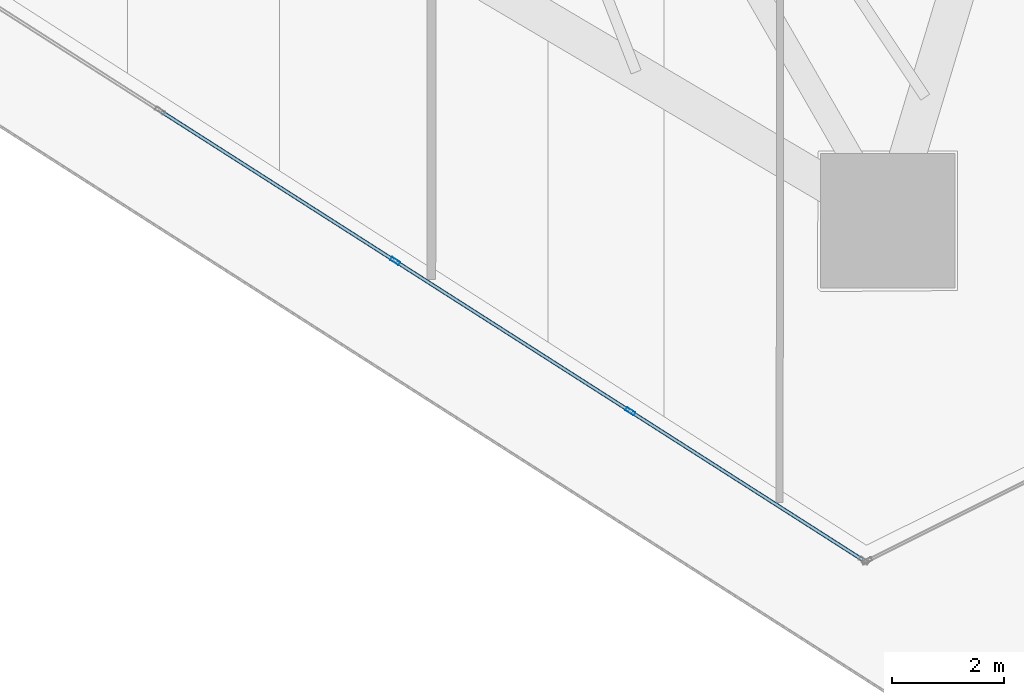
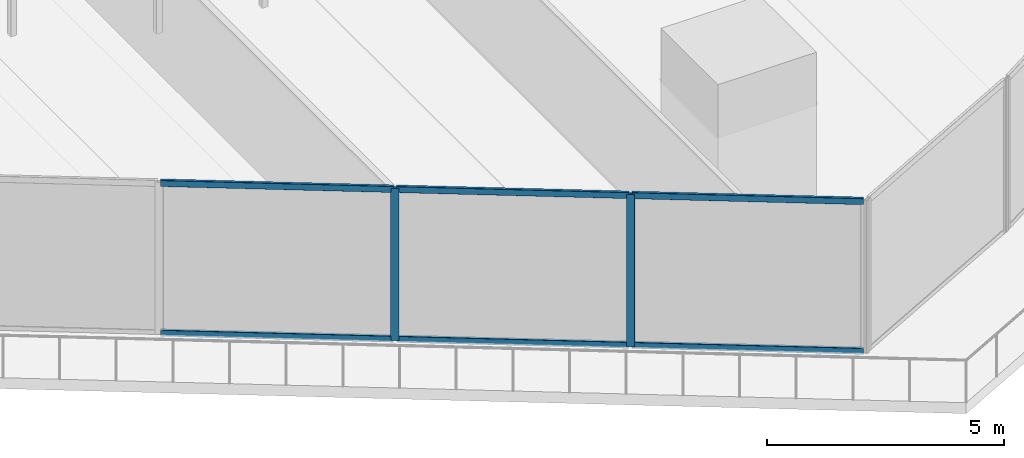
# One storey, part 7 of 44: 8 members, 1 element without a shape of its own.
"""IFC4 building model written with IfcOpenShell, lengths in metres."""

from ifc_helpers import new_model, si_unit, direction, frame, origin, origin_2d, place, context, subcontext, project, spatial, hollow_rectangle, extrude, material, layer, layer_set, material_profile, profile_set, type_object, element, aggregate, save


model = new_model("IFC4")

# Units and contexts
model_context = context("Model", 3, precision=1e-05, world=origin(), true_north=direction((0.0, 1.0)))
body_context = subcontext(model_context, "Body", "Model", "MODEL_VIEW")
ifc_project = project(units=[si_unit("LENGTHUNIT", "METRE"), si_unit("AREAUNIT", "SQUARE_METRE"), si_unit("VOLUMEUNIT", "CUBIC_METRE"), si_unit("PLANEANGLEUNIT", "RADIAN"), si_unit("MASSUNIT", "GRAM", prefix="KILO")], contexts=[model_context])

# Site, building, storey
site_placement = place(None, origin())
site = spatial("IfcSite", under=ifc_project, at=site_placement, CompositionType="ELEMENT")
building_placement = place(site_placement, origin())
building = spatial("IfcBuilding", under=site, at=building_placement, Name="Qorvath Tower", CompositionType="ELEMENT")
storey_placement = place(building_placement, frame((0.0, 0.0, 45.0)))
storey = spatial("IfcBuildingStorey", under=building, at=storey_placement, Name="L09", CompositionType="ELEMENT", Elevation=45.0)

# Curtain wall, members
ifc_material_1 = material(Name="Anodised aluminium and triple low-E glass", Category="aluminium")
ifc_layer = layer(ifc_material_1, 0.179931640625)
ifc_layer_set = layer_set([ifc_layer], Name="CW-SYS-2")
curtain_wall_type = type_object("IfcCurtainWallType", Name="CW-SYS-2", PredefinedType="NOTDEFINED", material=ifc_layer_set)
curtain_wall_placement = place(storey_placement, origin())
curtain_wall = element("IfcCurtainWall", 1, at=curtain_wall_placement, inside=storey, type_object=curtain_wall_type, Name="Curtain Wall CW-2 CW-T-L09-2.2", PredefinedType="NOTDEFINED")
ifc_material_2 = material(Name="Anodised aluminium 6063-T6", Category="aluminium")
ifc_material_profile_1 = material_profile(ifc_material_2, hollow_rectangle(XDim=0.06494140625, YDim=0.179931640625, WallThickness=0.00341796875, InnerFilletRadius=0.00341796875, OuterFilletRadius=0.007080078125, at=origin_2d()), Name="CWM 180x65")
ifc_profile_set_1 = profile_set([ifc_material_profile_1], Name="Anodised aluminium 6063-T6")
member_type_1 = type_object("IfcMemberType", Name="CWM-180", PredefinedType="MULLION", material=ifc_profile_set_1)
member_1_placement = place(storey_placement, frame((-23.25146484375, -28.047119140625, 0.0), z_axis=(0.0, 0.0, 1.0), x_axis=(0.538536571861, 0.842602136698, 0.0)))
member_1 = element("IfcMember", 2, at=member_1_placement, type_object=member_type_1, Name="CW-2 mullion 5", PredefinedType="MULLION", context=body_context, shape_type="SweptSolid", body=[
    extrude(hollow_rectangle(XDim=0.06494140625, YDim=0.179931640625, WallThickness=0.00341796875, InnerFilletRadius=0.00341796875, OuterFilletRadius=0.007080078125, at=origin_2d()), origin(), (0.0, 0.0, 1.0), 3.919921875),
])
member_2_placement = place(storey_placement, frame((-19.057861328125, -30.7275390625, 0.0), z_axis=(0.0, 0.0, 1.0), x_axis=(0.538536571861, 0.842602136698, 0.0)))
member_2 = element("IfcMember", 3, at=member_2_placement, type_object=member_type_1, Name="CW-2 mullion 6", PredefinedType="MULLION", context=body_context, shape_type="SweptSolid", body=[
    extrude(hollow_rectangle(XDim=0.06494140625, YDim=0.179931640625, WallThickness=0.00341796875, InnerFilletRadius=0.00341796875, OuterFilletRadius=0.007080078125, at=origin_2d()), origin(), (0.0, 0.0, 1.0), 3.919921875),
])
ifc_material_3 = material(Name="Anodised aluminium 6063-T6", Category="aluminium")
ifc_material_profile_2 = material_profile(ifc_material_3, hollow_rectangle(XDim=0.06494140625, YDim=0.159912109375, WallThickness=0.00341796875, InnerFilletRadius=0.00341796875, OuterFilletRadius=0.007080078125, at=origin_2d()), Name="CWT 160x65")
ifc_profile_set_2 = profile_set([ifc_material_profile_2], Name="Anodised aluminium 6063-T6")
member_type_2 = type_object("IfcMemberType", Name="CWT-160", PredefinedType="USERDEFINED", material=ifc_profile_set_2)
member_3_placement = place(storey_placement, frame((-27.41796875, -25.38427734375, 0.032470703125), z_axis=(0.842599789042, -0.53854024502, 0.0), x_axis=(0.53854024502, 0.842599789042, 0.0)))
member_3 = element("IfcMember", 4, at=member_3_placement, type_object=member_type_2, Name="CW-2 transom 4.1", ObjectType="TRANSOM", PredefinedType="USERDEFINED", context=body_context, shape_type="SweptSolid", body=[
    extrude(hollow_rectangle(XDim=0.06494140625, YDim=0.159912109375, WallThickness=0.00341796875, InnerFilletRadius=0.00341796875, OuterFilletRadius=0.007080078125, at=origin_2d()), origin(), (0.0, 0.0, 1.0), 4.912353515625),
])
member_4_placement = place(storey_placement, frame((-27.41796875, -25.38427734375, 3.887451171875), z_axis=(0.842599789042, -0.53854024502, 0.0), x_axis=(0.53854024502, 0.842599789042, 0.0)))
member_4 = element("IfcMember", 5, at=member_4_placement, type_object=member_type_2, Name="CW-2 transom 4.2", ObjectType="TRANSOM", PredefinedType="USERDEFINED", context=body_context, shape_type="SweptSolid", body=[
    extrude(hollow_rectangle(XDim=0.06494140625, YDim=0.159912109375, WallThickness=0.00341796875, InnerFilletRadius=0.00341796875, OuterFilletRadius=0.007080078125, at=origin_2d()), origin(), (0.0, 0.0, 1.0), 4.912353515625),
])
member_5_placement = place(storey_placement, frame((-23.22412109375, -28.064697265625, 0.032470703125), z_axis=(0.842585374104, -0.538562797959, 0.0), x_axis=(0.538562797959, 0.842585374104, 0.0)))
member_5 = element("IfcMember", 6, at=member_5_placement, type_object=member_type_2, Name="CW-2 transom 5.1", ObjectType="TRANSOM", PredefinedType="USERDEFINED", context=body_context, shape_type="SweptSolid", body=[
    extrude(hollow_rectangle(XDim=0.06494140625, YDim=0.159912109375, WallThickness=0.00341796875, InnerFilletRadius=0.00341796875, OuterFilletRadius=0.007080078125, at=origin_2d()), origin(), (0.0, 0.0, 1.0), 4.912109375),
])
member_6_placement = place(storey_placement, frame((-23.22412109375, -28.064697265625, 3.887451171875), z_axis=(0.842585374104, -0.538562797959, 0.0), x_axis=(0.538562797959, 0.842585374104, 0.0)))
member_6 = element("IfcMember", 7, at=member_6_placement, type_object=member_type_2, Name="CW-2 transom 5.2", ObjectType="TRANSOM", PredefinedType="USERDEFINED", context=body_context, shape_type="SweptSolid", body=[
    extrude(hollow_rectangle(XDim=0.06494140625, YDim=0.159912109375, WallThickness=0.00341796875, InnerFilletRadius=0.00341796875, OuterFilletRadius=0.007080078125, at=origin_2d()), origin(), (0.0, 0.0, 1.0), 4.912109375),
])
member_7_placement = place(storey_placement, frame((-19.0302734375, -30.7451171875, 0.032470703125), z_axis=(0.842594727147, -0.538548164777, 0.0), x_axis=(0.538548164777, 0.842594727147, 0.0)))
member_7 = element("IfcMember", 8, at=member_7_placement, type_object=member_type_2, Name="CW-2 transom 6.1", ObjectType="TRANSOM", PredefinedType="USERDEFINED", context=body_context, shape_type="SweptSolid", body=[
    extrude(hollow_rectangle(XDim=0.06494140625, YDim=0.159912109375, WallThickness=0.00341796875, InnerFilletRadius=0.00341796875, OuterFilletRadius=0.007080078125, at=origin_2d()), origin(), (0.0, 0.0, 1.0), 4.879638671875),
])
member_8_placement = place(storey_placement, frame((-19.0302734375, -30.7451171875, 3.887451171875), z_axis=(0.842594727147, -0.538548164777, 0.0), x_axis=(0.538548164777, 0.842594727147, 0.0)))
member_8 = element("IfcMember", 9, at=member_8_placement, type_object=member_type_2, Name="CW-2 transom 6.2", ObjectType="TRANSOM", PredefinedType="USERDEFINED", context=body_context, shape_type="SweptSolid", body=[
    extrude(hollow_rectangle(XDim=0.06494140625, YDim=0.159912109375, WallThickness=0.00341796875, InnerFilletRadius=0.00341796875, OuterFilletRadius=0.007080078125, at=origin_2d()), origin(), (0.0, 0.0, 1.0), 4.879638671875),
])
aggregate(curtain_wall, [member_1, member_2, member_3, member_4, member_5, member_6, member_7, member_8])

save(model, "model.ifc")
